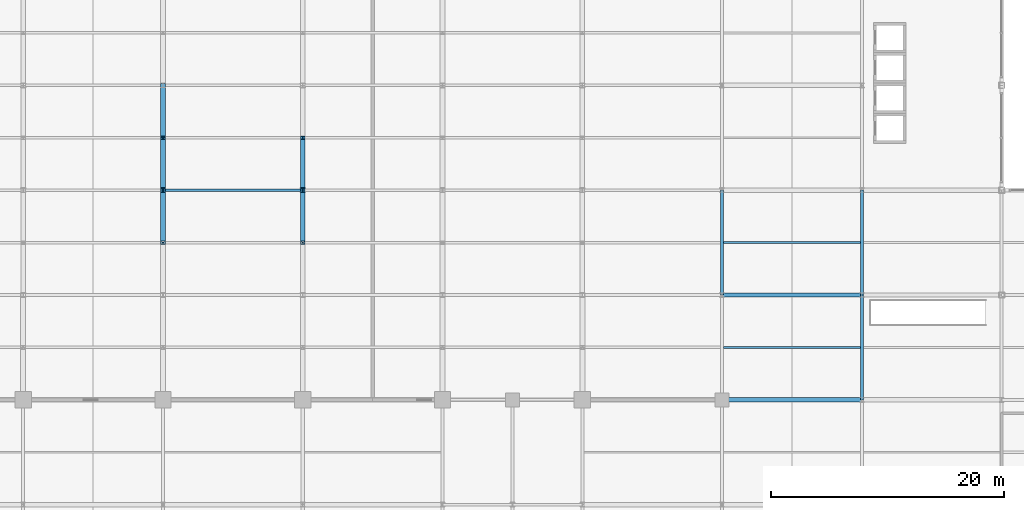
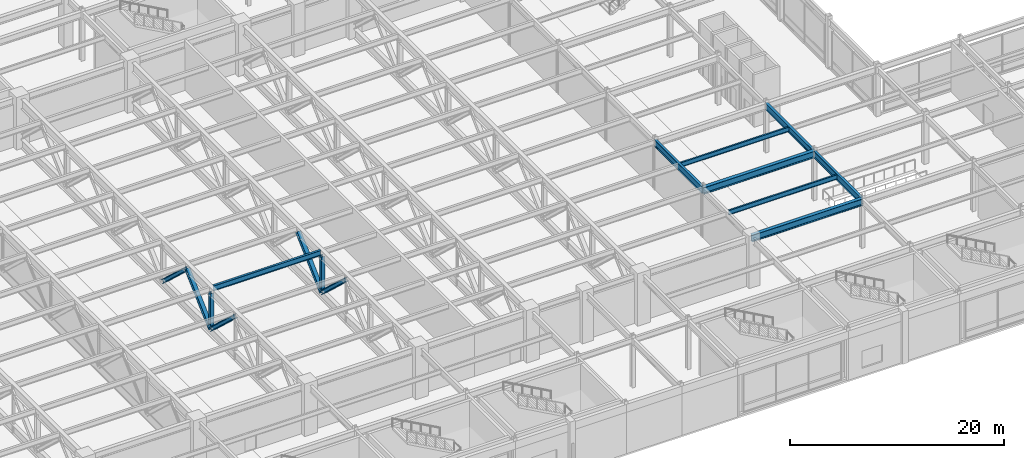
# One storey, part 39 of 108: 8 beams, 7 members.
"""IFC4 building model written with IfcOpenShell, lengths in metres."""

from ifc_helpers import new_model, si_unit, direction, frame, origin, origin_2d, place, context, subcontext, project, spatial, i_section, extrude, material, material_profile, profile_set, type_object, element, save


model = new_model("IFC4")

# Units and contexts
model_context = context("Model", 3, precision=1e-05, world=origin(), true_north=direction((0.0, 1.0)))
body_context = subcontext(model_context, "Body", "Model", "MODEL_VIEW")
ifc_project = project(units=[si_unit("LENGTHUNIT", "METRE"), si_unit("AREAUNIT", "SQUARE_METRE"), si_unit("VOLUMEUNIT", "CUBIC_METRE"), si_unit("PLANEANGLEUNIT", "RADIAN"), si_unit("MASSUNIT", "GRAM", prefix="KILO")], contexts=[model_context])

# Site, building, storey
site_placement = place(None, origin())
site = spatial("IfcSite", under=ifc_project, at=site_placement, CompositionType="ELEMENT")
building_placement = place(site_placement, origin())
building = spatial("IfcBuilding", under=site, at=building_placement, Name="Kaldorvane Square Convention Centre", CompositionType="ELEMENT")
storey_placement = place(building_placement, frame((0.0, 0.0, 12.0)))
storey = spatial("IfcBuildingStorey", under=building, at=storey_placement, Name="L02", CompositionType="ELEMENT", Elevation=12.0)

# Beams
ifc_material = material(Name="Steel ASTM A992 Gr. 50", Category="steel")
ifc_material_profile_1 = material_profile(ifc_material, i_section(OverallWidth=0.2666015625, OverallDepth=0.762298583984375, WebThickness=0.014404296875, FlangeThickness=0.0216064453125, FilletRadius=0.0164947509765625, at=origin_2d()), Name="W30X116")
ifc_profile_set_1 = profile_set([ifc_material_profile_1], Name="Steel ASTM A992 Gr. 50")
beam_type_1 = type_object("IfcBeamType", Name="BM-GR-W30X116", PredefinedType="BEAM", material=ifc_profile_set_1)
for number, where, z_axis, x_axis, name in (
    (1, (114.0, 27.0, 5.264801025390625), (0.0, 1.0, 0.0), (-1.0, 0.0, 0.0), "Transverse Girder (L02)"),
    (2, (126.0, 18.0, 5.264801025390625), (0.0, 1.0, 0.0), (-1.0, 0.0, 0.0), "Transverse Girder (L02)"),
    (3, (126.0, 27.0, 5.264801025390625), (0.0, 1.0, 0.0), (-1.0, 0.0, 0.0), "Transverse Girder (L02)"),
):
    element("IfcBeam", number, at=place(storey_placement, frame(where, z_axis=z_axis, x_axis=x_axis)), inside=storey, type_object=beam_type_1, Name=name, PredefinedType="BEAM", context=body_context, shape_type="SweptSolid", body=[
        extrude(i_section(OverallWidth=0.2666015625, OverallDepth=0.762298583984375, WebThickness=0.014404296875, FlangeThickness=0.0216064453125, FilletRadius=0.0164947509765625, at=origin_2d()), origin(), (0.0, 0.0, 1.0), 9.0),
    ])
ifc_material_profile_2 = material_profile(ifc_material, i_section(OverallWidth=0.380706787109375, OverallDepth=0.773193359375, WebThickness=0.0166015625, FlangeThickness=0.027099609375, FilletRadius=0.0164947509765625, at=origin_2d()), Name="W30X173")
ifc_profile_set_2 = profile_set([ifc_material_profile_2], Name="Steel ASTM A992 Gr. 50")
beam_type_2 = type_object("IfcBeamType", Name="BM-GR-W30X173", PredefinedType="BEAM", material=ifc_profile_set_2)
for number, where, z_axis, x_axis, name in (
    (4, (114.0, 18.0, 5.2593994140625), (1.0, 0.0, 0.0), (0.0, 1.0, 0.0), "Primary Girder (L02)"),
    (5, (114.0, 27.0, 5.2593994140625), (1.0, 0.0, 0.0), (0.0, 1.0, 0.0), "Primary Girder (L02)"),
):
    element("IfcBeam", number, at=place(storey_placement, frame(where, z_axis=z_axis, x_axis=x_axis)), inside=storey, type_object=beam_type_2, Name=name, PredefinedType="BEAM", context=body_context, shape_type="SweptSolid", body=[
        extrude(i_section(OverallWidth=0.380706787109375, OverallDepth=0.773193359375, WebThickness=0.0166015625, FlangeThickness=0.027099609375, FilletRadius=0.0164947509765625, at=origin_2d()), origin(), (0.0, 0.0, 1.0), 12.0),
    ])
ifc_material_profile_3 = material_profile(ifc_material, i_section(OverallWidth=0.1658935546875, OverallDepth=0.5290985107421875, WebThickness=0.00970458984375, FlangeThickness=0.0135955810546875, FilletRadius=0.0126953125, at=origin_2d()), Name="W21X50")
ifc_profile_set_3 = profile_set([ifc_material_profile_3], Name="Steel ASTM A992 Gr. 50")
beam_type_3 = type_object("IfcBeamType", Name="BM-JS-W21X50", PredefinedType="JOIST", material=ifc_profile_set_3)
for number, where, z_axis, x_axis, name in (
    (6, (114.13330078125, 22.5, 5.3813934326171875), (1.0, 0.0, 0.0), (0.0, 1.0, 0.0), "Secondary Floor Joist (L02)"),
    (7, (114.13330078125, 31.5, 5.3813934326171875), (1.0, 0.0, 0.0), (0.0, 1.0, 0.0), "Secondary Floor Joist (L02)"),
):
    element("IfcBeam", number, at=place(storey_placement, frame(where, z_axis=z_axis, x_axis=x_axis)), inside=storey, type_object=beam_type_3, Name=name, PredefinedType="JOIST", context=body_context, shape_type="SweptSolid", body=[
        extrude(i_section(OverallWidth=0.1658935546875, OverallDepth=0.5290985107421875, WebThickness=0.00970458984375, FlangeThickness=0.0135955810546875, FilletRadius=0.0126953125, at=origin_2d()), origin(), (0.0, 0.0, 1.0), 11.7333984375),
    ])
ifc_material_profile_4 = material_profile(ifc_material, i_section(OverallWidth=0.2277069091796875, OverallDepth=0.6027069091796875, WebThickness=0.010498046875, FlangeThickness=0.014892578125, FilletRadius=0.0126953125, at=origin_2d()), Name="W24X68")
ifc_profile_set_4 = profile_set([ifc_material_profile_4], Name="Steel ASTM A992 Gr. 50")
beam_type_4 = type_object("IfcBeamType", Name="BM-JS-W24X68", PredefinedType="JOIST", material=ifc_profile_set_4)
beam_placement = place(storey_placement, frame((66.20249938964844, 36.0, 5.3446044921875), z_axis=(1.0, 0.0, 0.0), x_axis=(0.0, 1.0, 0.0)))
element("IfcBeam", 8, at=beam_placement, inside=storey, type_object=beam_type_4, Name="Hall Composite Floor Joist (L02)", PredefinedType="JOIST", context=body_context, shape_type="SweptSolid", body=[
    extrude(i_section(OverallWidth=0.2277069091796875, OverallDepth=0.6027069091796875, WebThickness=0.010498046875, FlangeThickness=0.014892578125, FilletRadius=0.0126953125, at=origin_2d()), origin(), (0.0, 0.0, 1.0), 11.595001220703125),
])

# Members
ifc_material_profile_5 = material_profile(ifc_material, i_section(OverallWidth=0.4062957763671875, OverallDepth=0.416107177734375, WebThickness=0.0298004150390625, FlangeThickness=0.048004150390625, FilletRadius=0.0305023193359375, at=origin_2d()), Name="W14X257")
ifc_profile_set_5 = profile_set([ifc_material_profile_5], Name="Steel ASTM A992 Gr. 50")
member_type_1 = type_object("IfcMemberType", Name="MB-BR-W14X257", PredefinedType="BRACE", material=ifc_profile_set_5)
for number, where, z_axis, x_axis, name in (
    (9, (66.0, 36.0, 0.7299957275390625), (0.0, 0.731436442842, 0.681909620172), (-1.0, 0.0, 0.0), "Transfer Truss TT-04 Web Diagonal 3A"),
    (10, (66.0, 40.5, 4.92529296875), (0.0, 0.731436442842, -0.681909620172), (-1.0, 0.0, 0.0), "Transfer Truss TT-04 Web Diagonal 3B"),
    (11, (78.0, 36.0, 0.7299957275390625), (0.0, 0.731436442842, 0.681909620172), (-1.0, 0.0, 0.0), "Transfer Truss TT-05 Web Diagonal 3A"),
):
    element("IfcMember", number, at=place(storey_placement, frame(where, z_axis=z_axis, x_axis=x_axis)), inside=storey, type_object=member_type_1, Name=name, PredefinedType="BRACE", context=body_context, shape_type="SweptSolid", body=[
        extrude(i_section(OverallWidth=0.4062957763671875, OverallDepth=0.416107177734375, WebThickness=0.0298004150390625, FlangeThickness=0.048004150390625, FilletRadius=0.0305023193359375, at=origin_2d()), origin(), (0.0, 0.0, 1.0), 6.15228271484375),
    ])
ifc_material_profile_6 = material_profile(ifc_material, i_section(OverallWidth=0.412200927734375, OverallDepth=0.4347991943359375, WebThickness=0.035797119140625, FlangeThickness=0.057403564453125, FilletRadius=0.0305023193359375, at=origin_2d()), Name="W14X311")
ifc_profile_set_6 = profile_set([ifc_material_profile_6], Name="Steel ASTM A992 Gr. 50")
member_type_2 = type_object("IfcMemberType", Name="MB-BR-W14X311", PredefinedType="BRACE", material=ifc_profile_set_6)
for number, where, z_axis, x_axis, name in (
    (12, (66.0, 31.5, 4.92529296875), (0.0, 0.731436442842, -0.681909620172), (-1.0, 0.0, 0.0), "Transfer Truss TT-04 Web Diagonal 2B"),
    (13, (78.0, 31.5, 4.92529296875), (0.0, 0.731436442842, -0.681909620172), (-1.0, 0.0, 0.0), "Transfer Truss TT-05 Web Diagonal 2B"),
):
    element("IfcMember", number, at=place(storey_placement, frame(where, z_axis=z_axis, x_axis=x_axis)), inside=storey, type_object=member_type_2, Name=name, PredefinedType="BRACE", context=body_context, shape_type="SweptSolid", body=[
        extrude(i_section(OverallWidth=0.412200927734375, OverallDepth=0.4347991943359375, WebThickness=0.035797119140625, FlangeThickness=0.057403564453125, FilletRadius=0.0305023193359375, at=origin_2d()), origin(), (0.0, 0.0, 1.0), 6.15228271484375),
    ])
ifc_material_profile_7 = material_profile(ifc_material, i_section(OverallWidth=0.3990020751953125, OverallDepth=0.3932037353515625, WebThickness=0.0225982666015625, FlangeThickness=0.0366058349609375, FilletRadius=0.0305023193359375, at=origin_2d()), Name="W14X193")
ifc_profile_set_7 = profile_set([ifc_material_profile_7], Name="Steel ASTM A992 Gr. 50")
member_type_3 = type_object("IfcMemberType", Name="MB-PS-W14X193", PredefinedType="POST", material=ifc_profile_set_7)
for number, where, z_axis, x_axis, name in (
    (14, (66.0, 36.0, 1.0099945068359375), (0.0, 0.0, 1.0), (1.0, 0.0, 0.0), "Transfer Truss TT-04 Vertical Post 2"),
    (15, (78.0, 36.0, 1.0099945068359375), (0.0, 0.0, 1.0), (1.0, 0.0, 0.0), "Transfer Truss TT-05 Vertical Post 2"),
):
    element("IfcMember", number, at=place(storey_placement, frame(where, z_axis=z_axis, x_axis=x_axis)), inside=storey, type_object=member_type_3, Name=name, PredefinedType="POST", context=body_context, shape_type="SweptSolid", body=[
        extrude(i_section(OverallWidth=0.3990020751953125, OverallDepth=0.3932037353515625, WebThickness=0.0225982666015625, FlangeThickness=0.0366058349609375, FilletRadius=0.0305023193359375, at=origin_2d()), origin(), (0.0, 0.0, 1.0), 3.9152984619140625),
    ])

save(model, "model.ifc")
